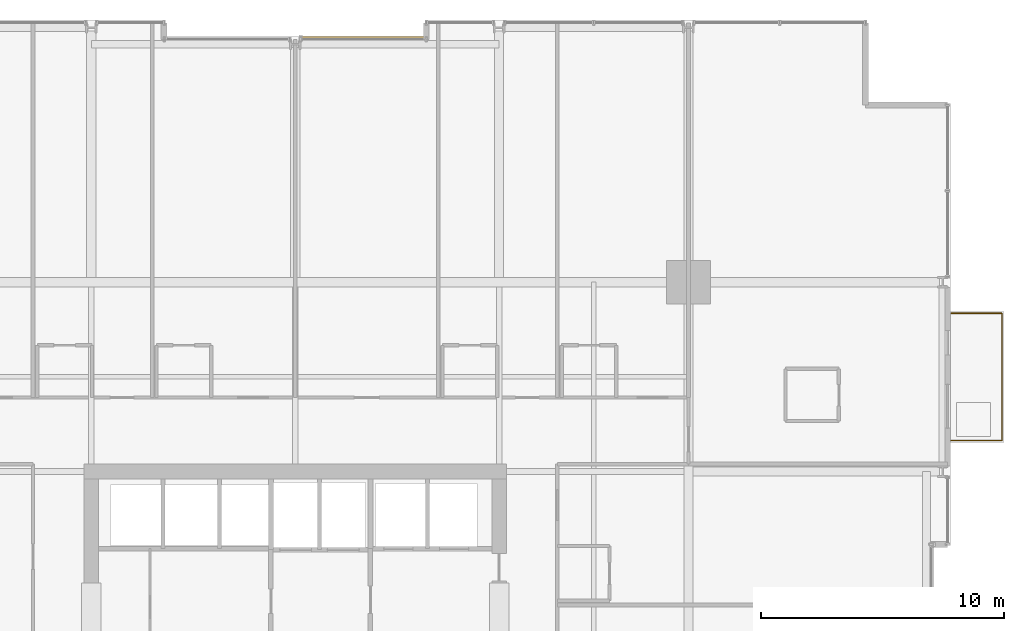
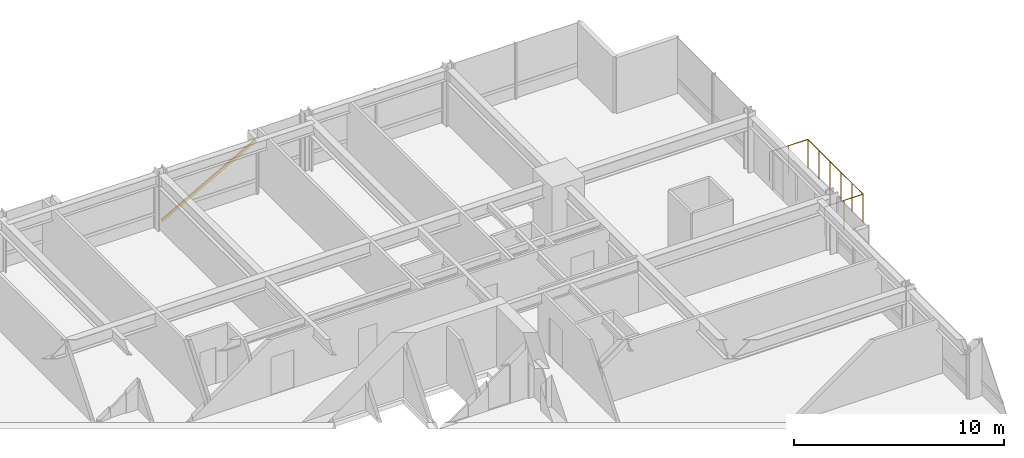
# One storey, part 38 of 38: 1 railing, 1 shading device.
"""IFC4 building model written with IfcOpenShell, lengths in metres."""

from ifc_helpers import new_model, si_unit, direction, frame, origin, origin_2d, place, context, subcontext, project, spatial, hollow_rectangle, circle, extrude, material, material_profile, profile_set, type_object, element, save


model = new_model("IFC4")

# Units and contexts
model_context = context("Model", 3, precision=1e-05, world=origin(), true_north=direction((0.0, 1.0)))
body_context = subcontext(model_context, "Body", "Model", "MODEL_VIEW")
ifc_project = project(units=[si_unit("LENGTHUNIT", "METRE"), si_unit("AREAUNIT", "SQUARE_METRE"), si_unit("VOLUMEUNIT", "CUBIC_METRE"), si_unit("PLANEANGLEUNIT", "RADIAN"), si_unit("MASSUNIT", "GRAM", prefix="KILO")], contexts=[model_context])

# Site, building, storey
site_placement = place(None, origin())
site = spatial("IfcSite", under=ifc_project, at=site_placement, CompositionType="ELEMENT")
building_placement = place(site_placement, origin())
building = spatial("IfcBuilding", under=site, at=building_placement, Name="Drelvath Grand Hotel", CompositionType="ELEMENT")
storey_placement = place(building_placement, frame((0.0, 0.0, 71.699951171875)))
storey = spatial("IfcBuildingStorey", under=building, at=storey_placement, Name="L17", CompositionType="ELEMENT", Elevation=71.699951171875)

# Shading device
ifc_material_1 = material(Name="Warm Bronze Anodised Aluminium", Category="aluminium")
ifc_material_profile = material_profile(ifc_material_1, hollow_rectangle(XDim=0.06494140625, YDim=0.159912109375, WallThickness=0.00390625, at=origin_2d()), Name="HSS160X65X4")
ifc_profile_set = profile_set([ifc_material_profile], Name="Warm Bronze Anodised Aluminium")
shading_device_type = type_object("IfcShadingDeviceType", Name="Diagonal Solar Fin Warm Bronze Anodised HSS160X65X4", PredefinedType="USERDEFINED", material=ifc_profile_set)
shading_device_placement = place(storey_placement, frame((0.22900390625, 53.280029296875, 0.179931640625), z_axis=(0.873625592273, 0.0, 0.486598730502), x_axis=(0.0, 1.0, 0.0)))
element("IfcShadingDevice", 1, at=shading_device_placement, inside=storey, type_object=shading_device_type, Name="L17 Diagonal Anodised Fin CW02-L17-NM2", ObjectType="FIN", PredefinedType="USERDEFINED", context=body_context, shape_type="SweptSolid", body=[
    extrude(hollow_rectangle(XDim=0.06494140625, YDim=0.159912109375, WallThickness=0.00390625, at=origin_2d()), origin(), (0.0, 0.0, 1.0), 5.9189453125),
])

# Railing
ifc_material_2 = material(Name="Anodised Aluminium and Laminated Glass Balustrade", Category="aluminium")
railing_type = type_object("IfcRailingType", Name="Raised Planter Edge Balustrade 1700", PredefinedType="BALUSTRADE", material=ifc_material_2)
railing_placement = place(storey_placement, frame((27.02001953125, 36.679931640625, 0.0)))
element("IfcRailing", 2, at=railing_placement, inside=storey, type_object=railing_type, Name="L17 Tree Balcony Perimeter Balustrade 1", PredefinedType="BALUSTRADE", context=body_context, shape_type="SweptSolid", body=[
    extrude(circle(Radius=0.02392578125, at=origin_2d()), frame((0.0, 0.0, 1.67578125), z_axis=(1.0, 0.0, 0.0), x_axis=(0.0, 1.0, 0.0)), (0.0, 0.0, 1.0), 2.10009765625),
    extrude(circle(Radius=0.02392578125, at=origin_2d()), frame((2.10009765625, 0.0, 1.67578125), z_axis=(0.0, 1.0, 0.0), x_axis=(-1.0, 0.0, 0.0)), (0.0, 0.0, 1.0), 5.239990234375),
    extrude(circle(Radius=0.02392578125, at=origin_2d()), frame((2.10009765625, 5.239990234375, 1.67578125), z_axis=(-1.0, 0.0, 0.0), x_axis=(0.0, -1.0, 0.0)), (0.0, 0.0, 1.0), 2.10009765625),
    extrude(circle(Radius=0.02099609375, at=origin_2d()), origin(), (0.0, 0.0, 1.0), 1.65185546875),
    extrude(circle(Radius=0.02099609375, at=origin_2d()), frame((1.050048828125, 0.0, 0.0)), (0.0, 0.0, 1.0), 1.65185546875),
    extrude(circle(Radius=0.02099609375, at=origin_2d()), frame((2.10009765625, 0.0, 0.0)), (0.0, 0.0, 1.0), 1.65185546875),
    extrude(circle(Radius=0.02099609375, at=origin_2d()), frame((2.10009765625, 1.048095703125, 0.0)), (0.0, 0.0, 1.0), 1.65185546875),
    extrude(circle(Radius=0.02099609375, at=origin_2d()), frame((2.10009765625, 2.095947265625, 0.0)), (0.0, 0.0, 1.0), 1.65185546875),
    extrude(circle(Radius=0.02099609375, at=origin_2d()), frame((2.10009765625, 3.14404296875, 0.0)), (0.0, 0.0, 1.0), 1.65185546875),
    extrude(circle(Radius=0.02099609375, at=origin_2d()), frame((2.10009765625, 4.19189453125, 0.0)), (0.0, 0.0, 1.0), 1.65185546875),
    extrude(circle(Radius=0.02099609375, at=origin_2d()), frame((2.10009765625, 5.239990234375, 0.0)), (0.0, 0.0, 1.0), 1.65185546875),
    extrude(circle(Radius=0.02099609375, at=origin_2d()), frame((1.050048828125, 5.239990234375, 0.0)), (0.0, 0.0, 1.0), 1.65185546875),
    extrude(circle(Radius=0.02099609375, at=origin_2d()), frame((0.0, 5.239990234375, 0.0)), (0.0, 0.0, 1.0), 1.65185546875),
])

save(model, "model.ifc")
